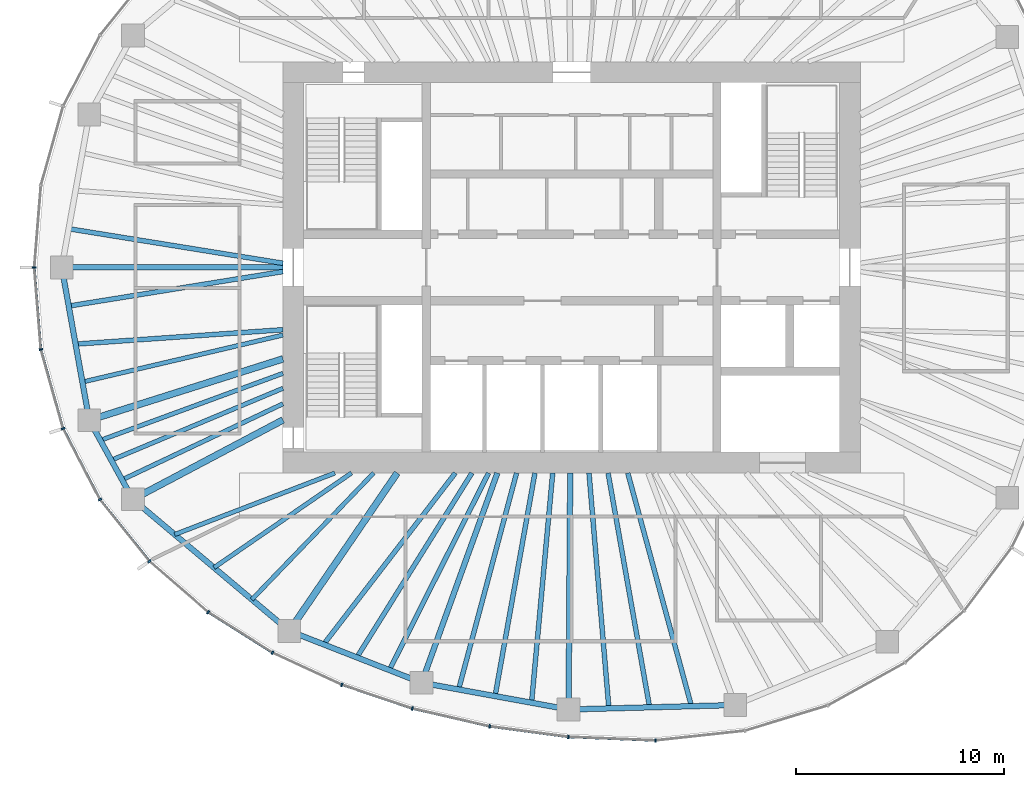
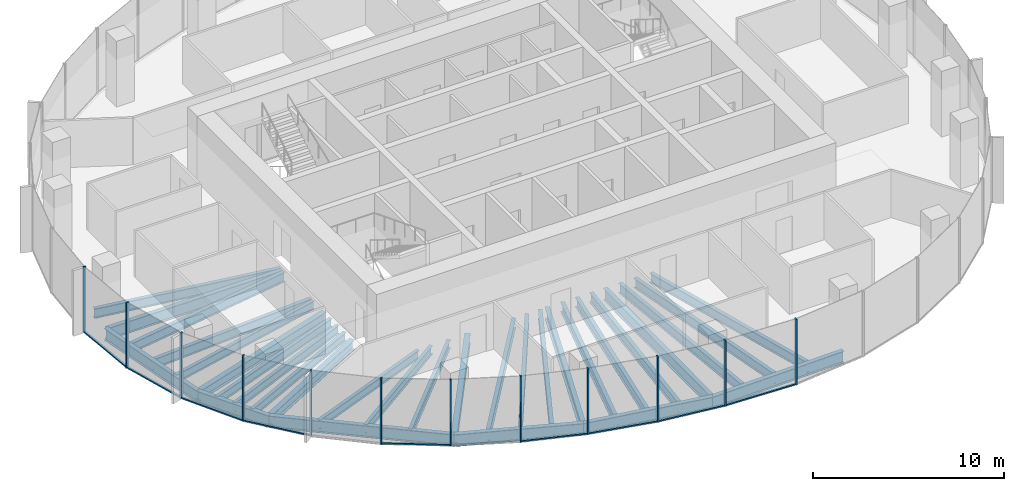
# One storey, part 2 of 11: 31 beams, 21 members, 6 elements without a shape of their own.
"""IFC4 building model written with IfcOpenShell, lengths in metres."""

from ifc_helpers import new_model, si_unit, direction, frame, origin, origin_2d, place, context, subcontext, project, spatial, rectangle, i_section, extrude, material, material_profile, profile_set, type_object, element, aggregate, save


model = new_model("IFC4")

# Units and contexts
model_context = context("Model", 3, precision=1e-05, world=origin(), true_north=direction((0.0, 1.0)))
body_context = subcontext(model_context, "Body", "Model", "MODEL_VIEW")
ifc_project = project(units=[si_unit("LENGTHUNIT", "METRE"), si_unit("AREAUNIT", "SQUARE_METRE"), si_unit("VOLUMEUNIT", "CUBIC_METRE"), si_unit("PLANEANGLEUNIT", "RADIAN"), si_unit("MASSUNIT", "GRAM", prefix="KILO")], contexts=[model_context])

# Site, building, storey
site_placement = place(None, origin())
site = spatial("IfcSite", under=ifc_project, at=site_placement, CompositionType="ELEMENT")
building_placement = place(site_placement, origin())
building = spatial("IfcBuilding", under=site, at=building_placement, Name="Ghaith Harvest Tower", CompositionType="ELEMENT")
storey_placement = place(building_placement, frame((0.0, 0.0, 283.800048828125)))
storey = spatial("IfcBuildingStorey", under=building, at=storey_placement, Name="L63", CompositionType="ELEMENT", Elevation=283.800048828125)

# Curtain wall, members
ifc_material_1 = material(Name="Black anodised aluminium and fritted glass", Category="aluminium")
curtain_wall_type = type_object("IfcCurtainWallType", Name="CW-T CURTAIN WALL", PredefinedType="NOTDEFINED", material=ifc_material_1)
curtain_wall_1_placement = place(storey_placement, origin())
curtain_wall_1 = element("IfcCurtainWall", 1, at=curtain_wall_1_placement, inside=storey, type_object=curtain_wall_type, Name="Curtain wall CW-T bay 11 L63", PredefinedType="NOTDEFINED")
ifc_material_2 = material(Name="Aluminium, black anodised", Category="aluminium")
ifc_material_profile_1 = material_profile(ifc_material_2, rectangle(XDim=0.080078125, YDim=0.179931640625, at=origin_2d()), Name="CW-T MULLION 80x180")
ifc_profile_set_1 = profile_set([ifc_material_profile_1], Name="Aluminium, black anodised")
member_type_1 = type_object("IfcMemberType", Name="CW-T MULLION 80x180", PredefinedType="MULLION", material=ifc_profile_set_1)
member_1_placement = place(storey_placement, frame((-25.8701171875, 0.0, 0.0), z_axis=(0.0, 0.0, 1.0), x_axis=(-1.05e-10, -1.0, 0.0)))
member_1 = element("IfcMember", 2, at=member_1_placement, type_object=member_type_1, Name="CW-T mullion 1 bay 11 L63", PredefinedType="MULLION", context=body_context, shape_type="SweptSolid", body=[
    extrude(rectangle(XDim=0.080078125, YDim=0.179931640625, at=origin_2d()), origin(), (0.0, 0.0, 1.0), 4.199951171875),
])
member_2_placement = place(storey_placement, frame((-25.5517578125, -3.9521484375, 0.0), z_axis=(0.0, 0.0, 1.0), x_axis=(0.176001391003, -0.98438991785, 0.0)))
member_2 = element("IfcMember", 3, at=member_2_placement, type_object=member_type_1, Name="CW-T mullion 2 bay 11 L63", PredefinedType="MULLION", context=body_context, shape_type="SweptSolid", body=[
    extrude(rectangle(XDim=0.080078125, YDim=0.179931640625, at=origin_2d()), origin(), (0.0, 0.0, 1.0), 4.199951171875),
])

curtain_wall_2_placement = place(storey_placement, origin())
curtain_wall_2 = element("IfcCurtainWall", 4, at=curtain_wall_2_placement, inside=storey, type_object=curtain_wall_type, Name="Curtain wall CW-T bay 12 L63", PredefinedType="NOTDEFINED")
member_3_placement = place(storey_placement, frame((-24.482666015625, -7.759033203125, 0.0), z_axis=(0.0, 0.0, 1.0), x_axis=(0.366473104734, -0.930428645038, 0.0)))
member_3 = element("IfcMember", 5, at=member_3_placement, type_object=member_type_1, Name="CW-T mullion 1 bay 12 L63", PredefinedType="MULLION", context=body_context, shape_type="SweptSolid", body=[
    extrude(rectangle(XDim=0.080078125, YDim=0.179931640625, at=origin_2d()), origin(), (0.0, 0.0, 1.0), 4.199951171875),
])
member_4_placement = place(storey_placement, frame((-22.706298828125, -11.176513671875, 0.0), z_axis=(0.0, 0.0, 1.0), x_axis=(0.545865412431, -0.837872873121, 0.0)))
member_4 = element("IfcMember", 6, at=member_4_placement, type_object=member_type_1, Name="CW-T mullion 2 bay 12 L63", PredefinedType="MULLION", context=body_context, shape_type="SweptSolid", body=[
    extrude(rectangle(XDim=0.080078125, YDim=0.179931640625, at=origin_2d()), origin(), (0.0, 0.0, 1.0), 4.199951171875),
])

curtain_wall_3_placement = place(storey_placement, origin())
curtain_wall_3 = element("IfcCurtainWall", 7, at=curtain_wall_3_placement, inside=storey, type_object=curtain_wall_type, Name="Curtain wall CW-T bay 13 L63", PredefinedType="NOTDEFINED")
member_5_placement = place(storey_placement, frame((-20.324462890625, -14.141845703125, 0.0), z_axis=(0.0, 0.0, 1.0), x_axis=(0.692826491831, -0.721104328248, 0.0)))
member_5 = element("IfcMember", 8, at=member_5_placement, type_object=member_type_1, Name="CW-T mullion 1 bay 13 L63", PredefinedType="MULLION", context=body_context, shape_type="SweptSolid", body=[
    extrude(rectangle(XDim=0.080078125, YDim=0.179931640625, at=origin_2d()), origin(), (0.0, 0.0, 1.0), 4.199951171875),
])
member_6_placement = place(storey_placement, frame((-17.49462890625, -16.600830078125, 0.0), z_axis=(0.0, 0.0, 1.0), x_axis=(0.802189888845, -0.59706899286, 0.0)))
member_6 = element("IfcMember", 9, at=member_6_placement, type_object=member_type_1, Name="CW-T mullion 2 bay 13 L63", PredefinedType="MULLION", context=body_context, shape_type="SweptSolid", body=[
    extrude(rectangle(XDim=0.080078125, YDim=0.179931640625, at=origin_2d()), origin(), (0.0, 0.0, 1.0), 4.199951171875),
])

curtain_wall_4_placement = place(storey_placement, origin())
curtain_wall_4 = element("IfcCurtainWall", 10, at=curtain_wall_4_placement, inside=storey, type_object=curtain_wall_type, Name="Curtain wall CW-T bay 14 L63", PredefinedType="NOTDEFINED")
member_7_placement = place(storey_placement, frame((-14.40478515625, -18.5478515625, 0.0), z_axis=(0.0, 0.0, 1.0), x_axis=(0.878671732732, -0.477426419564, 0.0)))
member_7 = element("IfcMember", 11, at=member_7_placement, type_object=member_type_1, Name="CW-T mullion 1 bay 14 L63", PredefinedType="MULLION", context=body_context, shape_type="SweptSolid", body=[
    extrude(rectangle(XDim=0.080078125, YDim=0.179931640625, at=origin_2d()), origin(), (0.0, 0.0, 1.0), 4.199951171875),
])
member_8_placement = place(storey_placement, frame((-11.0673828125, -20.093017578125, 0.0), z_axis=(0.0, 0.0, 1.0), x_axis=(0.92862442092, -0.371021138038, 0.0)))
member_8 = element("IfcMember", 12, at=member_8_placement, type_object=member_type_1, Name="CW-T mullion 2 bay 14 L63", PredefinedType="MULLION", context=body_context, shape_type="SweptSolid", body=[
    extrude(rectangle(XDim=0.080078125, YDim=0.179931640625, at=origin_2d()), origin(), (0.0, 0.0, 1.0), 4.199951171875),
])

curtain_wall_5_placement = place(storey_placement, origin())
curtain_wall_5 = element("IfcCurtainWall", 13, at=curtain_wall_5_placement, inside=storey, type_object=curtain_wall_type, Name="Curtain wall CW-T bay 15 L63", PredefinedType="NOTDEFINED")
member_9_placement = place(storey_placement, frame((-7.6708984375, -21.23828125, 0.0), z_axis=(0.0, 0.0, 1.0), x_axis=(0.962552491659, -0.271095372151, 0.0)))
member_9 = element("IfcMember", 14, at=member_9_placement, type_object=member_type_1, Name="CW-T mullion 1 bay 15 L63", PredefinedType="MULLION", context=body_context, shape_type="SweptSolid", body=[
    extrude(rectangle(XDim=0.080078125, YDim=0.179931640625, at=origin_2d()), origin(), (0.0, 0.0, 1.0), 4.199951171875),
])
member_10_placement = place(storey_placement, frame((-3.946533203125, -22.0986328125, 0.0), z_axis=(0.0, 0.0, 1.0), x_axis=(0.983843447712, -0.179030920217, 0.0)))
member_10 = element("IfcMember", 15, at=member_10_placement, type_object=member_type_1, Name="CW-T mullion 2 bay 15 L63", PredefinedType="MULLION", context=body_context, shape_type="SweptSolid", body=[
    extrude(rectangle(XDim=0.080078125, YDim=0.179931640625, at=origin_2d()), origin(), (0.0, 0.0, 1.0), 4.199951171875),
])

curtain_wall_6_placement = place(storey_placement, origin())
curtain_wall_6 = element("IfcCurtainWall", 16, at=curtain_wall_6_placement, inside=storey, type_object=curtain_wall_type, Name="Curtain wall CW-T bay 16 L63", PredefinedType="NOTDEFINED")
member_11_placement = place(storey_placement, frame((-0.15478515625, -22.60595703125, 0.0), z_axis=(0.0, 0.0, 1.0), x_axis=(0.996414855524, -0.084601629366, 0.0)))
member_11 = element("IfcMember", 17, at=member_11_placement, type_object=member_type_1, Name="CW-T mullion 1 bay 16 L63", PredefinedType="MULLION", context=body_context, shape_type="SweptSolid", body=[
    extrude(rectangle(XDim=0.080078125, YDim=0.179931640625, at=origin_2d()), origin(), (0.0, 0.0, 1.0), 4.199951171875),
])
member_12_placement = place(storey_placement, frame((4.037841796875, -22.776611328125, 0.0), z_axis=(0.0, 0.0, 1.0), x_axis=(0.999388631241, 0.034962318939, 0.0)))
member_12 = element("IfcMember", 18, at=member_12_placement, type_object=member_type_1, Name="CW-T mullion 2 bay 16 L63", PredefinedType="MULLION", context=body_context, shape_type="SweptSolid", body=[
    extrude(rectangle(XDim=0.080078125, YDim=0.179931640625, at=origin_2d()), origin(), (0.0, 0.0, 1.0), 4.199951171875),
])

# Member
ifc_material_3 = material(Name="Aluminium, black anodised", Category="aluminium")
ifc_material_profile_2 = material_profile(ifc_material_3, rectangle(XDim=0.1201171875, YDim=0.080078125, at=origin_2d()), Name="CW-T TRANSOM 120x80")
ifc_profile_set_2 = profile_set([ifc_material_profile_2], Name="Aluminium, black anodised")
member_type_2 = type_object("IfcMemberType", Name="CW-T TRANSOM 120x80", PredefinedType="USERDEFINED", material=ifc_profile_set_2)
member_13_placement = place(storey_placement, frame((-25.86669921875, -0.039794921875, 0.0400390625), z_axis=(0.08025226314, -0.996774585481, 0.0), x_axis=(0.996774585481, 0.08025226314, 0.0)))
member_13 = element("IfcMember", 19, at=member_13_placement, type_object=member_type_2, Name="CW-T transom 1 bay 11 L63", ObjectType="TRANSOM", PredefinedType="USERDEFINED", context=body_context, shape_type="SweptSolid", body=[
    extrude(rectangle(XDim=0.1201171875, YDim=0.080078125, at=origin_2d()), origin(), (0.0, 0.0, 1.0), 3.884765625),
])

member_14_placement = place(storey_placement, frame((-25.541015625, -3.990478515625, 0.0400390625), z_axis=(0.270340422972, -0.962764797709, 0.0), x_axis=(0.962764797709, 0.270340422972, 0.0)))
member_14 = element("IfcMember", 20, at=member_14_placement, type_object=member_type_2, Name="CW-T transom 2 bay 11 L63", ObjectType="TRANSOM", PredefinedType="USERDEFINED", context=body_context, shape_type="SweptSolid", body=[
    extrude(rectangle(XDim=0.1201171875, YDim=0.080078125, at=origin_2d()), origin(), (0.0, 0.0, 1.0), 3.874267578125),
])

aggregate(curtain_wall_1, [member_1, member_13, member_2, member_14])

member_15_placement = place(storey_placement, frame((-24.46435546875, -7.79443359375, 0.0400390625), z_axis=(0.461242681347, -0.887274021317, 0.0), x_axis=(0.887274021317, 0.461242681347, 0.0)))
member_15 = element("IfcMember", 21, at=member_15_placement, type_object=member_type_2, Name="CW-T transom 1 bay 12 L63", ObjectType="TRANSOM", PredefinedType="USERDEFINED", context=body_context, shape_type="SweptSolid", body=[
    extrude(rectangle(XDim=0.1201171875, YDim=0.080078125, at=origin_2d()), origin(), (0.0, 0.0, 1.0), 3.77197265625),
])

member_16_placement = place(storey_placement, frame((-22.68115234375, -11.207763671875, 0.0400390625), z_axis=(0.626253073761, -0.779619835307, 0.0), x_axis=(0.779619835307, 0.626253073761, 0.0)))
member_16 = element("IfcMember", 22, at=member_16_placement, type_object=member_type_2, Name="CW-T transom 2 bay 12 L63", ObjectType="TRANSOM", PredefinedType="USERDEFINED", context=body_context, shape_type="SweptSolid", body=[
    extrude(rectangle(XDim=0.1201171875, YDim=0.080078125, at=origin_2d()), origin(), (0.0, 0.0, 1.0), 3.723388671875),
])

aggregate(curtain_wall_2, [member_3, member_15, member_4, member_16])

member_17_placement = place(storey_placement, frame((-17.4609375, -16.6220703125, 0.0400390625), z_axis=(0.846053602505, -0.533097835006, 0.0), x_axis=(0.533097835006, 0.846053602505, 0.0)))
member_17 = element("IfcMember", 23, at=member_17_placement, type_object=member_type_2, Name="CW-T transom 2 bay 13 L63", ObjectType="TRANSOM", PredefinedType="USERDEFINED", context=body_context, shape_type="SweptSolid", body=[
    extrude(rectangle(XDim=0.1201171875, YDim=0.080078125, at=origin_2d()), origin(), (0.0, 0.0, 1.0), 3.572021484375),
])

aggregate(curtain_wall_3, [member_5, member_6, member_17])

member_18_placement = place(storey_placement, frame((-11.029541015625, -20.105712890625, 0.0400390625), z_axis=(0.9475698206, -0.319548799228, 0.0), x_axis=(0.319548799228, 0.9475698206, 0.0)))
member_18 = element("IfcMember", 24, at=member_18_placement, type_object=member_type_2, Name="CW-T transom 2 bay 14 L63", ObjectType="TRANSOM", PredefinedType="USERDEFINED", context=body_context, shape_type="SweptSolid", body=[
    extrude(rectangle(XDim=0.1201171875, YDim=0.080078125, at=origin_2d()), origin(), (0.0, 0.0, 1.0), 3.504638671875),
])

aggregate(curtain_wall_4, [member_7, member_8, member_18])

member_19_placement = place(storey_placement, frame((-7.6318359375, -21.247314453125, 0.0400390625), z_axis=(0.974344997799, -0.225059603803, 0.0), x_axis=(0.225059603803, 0.974344997799, 0.0)))
member_19 = element("IfcMember", 25, at=member_19_placement, type_object=member_type_2, Name="CW-T transom 1 bay 15 L63", ObjectType="TRANSOM", PredefinedType="USERDEFINED", context=body_context, shape_type="SweptSolid", body=[
    extrude(rectangle(XDim=0.1201171875, YDim=0.080078125, at=origin_2d()), origin(), (0.0, 0.0, 1.0), 3.742431640625),
])

member_20_placement = place(storey_placement, frame((-3.90673828125, -22.10400390625, 0.0400390625), z_axis=(0.99117202259, -0.132582131655, 0.0), x_axis=(0.132582131655, 0.99117202259, 0.0)))
member_20 = element("IfcMember", 26, at=member_20_placement, type_object=member_type_2, Name="CW-T transom 2 bay 15 L63", ObjectType="TRANSOM", PredefinedType="USERDEFINED", context=body_context, shape_type="SweptSolid", body=[
    extrude(rectangle(XDim=0.1201171875, YDim=0.080078125, at=origin_2d()), origin(), (0.0, 0.0, 1.0), 3.745361328125),
])

aggregate(curtain_wall_5, [member_9, member_19, member_10, member_20])

member_21_placement = place(storey_placement, frame((-0.11474609375, -22.607666015625, 0.0400390625), z_axis=(0.999174207562, -0.040631304968, 0.0), x_axis=(0.040631304968, 0.999174207562, 0.0)))
member_21 = element("IfcMember", 27, at=member_21_placement, type_object=member_type_2, Name="CW-T transom 1 bay 16 L63", ObjectType="TRANSOM", PredefinedType="USERDEFINED", context=body_context, shape_type="SweptSolid", body=[
    extrude(rectangle(XDim=0.1201171875, YDim=0.080078125, at=origin_2d()), origin(), (0.0, 0.0, 1.0), 4.115966796875),
])

aggregate(curtain_wall_6, [member_11, member_21, member_12])

# Beams
ifc_material_4 = material(Name="Steel ASTM A992 Grade 50", Category="steel")
ifc_material_profile_3 = material_profile(ifc_material_4, i_section(OverallWidth=0.26611328125, OverallDepth=0.758056640625, WebThickness=0.013916015625, FlangeThickness=0.019287109375, at=origin_2d()), Name="W760X161")
ifc_profile_set_3 = profile_set([ifc_material_profile_3], Name="Steel ASTM A992 Grade 50")
beam_type_1 = type_object("IfcBeamType", Name="E760-161 W760X161", PredefinedType="SPANDREL", material=ifc_profile_set_3)
beam_1_placement = place(storey_placement, frame((-24.550048828125, 0.0, -0.549072265625), z_axis=(0.177296554745, -0.984157473007, 0.0), x_axis=(0.984157473007, 0.177296554745, 0.0)))
element("IfcBeam", 28, at=beam_1_placement, inside=storey, type_object=beam_type_1, Name="Edge beam E11 L63", PredefinedType="SPANDREL", context=body_context, shape_type="SweptSolid", body=[
    extrude(i_section(OverallWidth=0.26611328125, OverallDepth=0.758056640625, WebThickness=0.013916015625, FlangeThickness=0.019287109375, at=origin_2d()), origin(), (0.0, 0.0, 1.0), 7.478515625),
])
beam_2_placement = place(storey_placement, frame((-23.22412109375, -7.360107421875, -0.549072265625), z_axis=(0.482955575345, -0.875644855089, 0.0), x_axis=(0.875644855089, 0.482955575345, 0.0)))
element("IfcBeam", 29, at=beam_2_placement, inside=storey, type_object=beam_type_1, Name="Edge beam E12 L63", PredefinedType="SPANDREL", context=body_context, shape_type="SweptSolid", body=[
    extrude(i_section(OverallWidth=0.26611328125, OverallDepth=0.758056640625, WebThickness=0.013916015625, FlangeThickness=0.019287109375, at=origin_2d()), origin(), (0.0, 0.0, 1.0), 4.346435546875),
])
beam_3_placement = place(storey_placement, frame((-21.125, -11.166015625, -0.549072265625), z_axis=(0.765021818761, -0.64400436087, 0.0), x_axis=(0.64400436087, 0.765021818761, 0.0)))
element("IfcBeam", 30, at=beam_3_placement, inside=storey, type_object=beam_type_1, Name="Edge beam E13 L63", PredefinedType="SPANDREL", context=body_context, shape_type="SweptSolid", body=[
    extrude(i_section(OverallWidth=0.26611328125, OverallDepth=0.758056640625, WebThickness=0.013916015625, FlangeThickness=0.019287109375, at=origin_2d()), origin(), (0.0, 0.0, 1.0), 9.8427734375),
])
beam_4_placement = place(storey_placement, frame((-13.594970703125, -17.5048828125, -0.549072265625), z_axis=(0.931322768207, -0.364194867371, 0.0), x_axis=(0.364194867371, 0.931322768207, 0.0)))
element("IfcBeam", 31, at=beam_4_placement, inside=storey, type_object=beam_type_1, Name="Edge beam E14 L63", PredefinedType="SPANDREL", context=body_context, shape_type="SweptSolid", body=[
    extrude(i_section(OverallWidth=0.26611328125, OverallDepth=0.758056640625, WebThickness=0.013916015625, FlangeThickness=0.019287109375, at=origin_2d()), origin(), (0.0, 0.0, 1.0), 6.843017578125),
])
beam_5_placement = place(storey_placement, frame((-7.221923828125, -19.9970703125, -0.549072265625), z_axis=(0.983813921429, -0.179193102551, 0.0), x_axis=(0.179193102551, 0.983813921429, 0.0)))
element("IfcBeam", 32, at=beam_5_placement, inside=storey, type_object=beam_type_1, Name="Edge beam E15 L63", PredefinedType="SPANDREL", context=body_context, shape_type="SweptSolid", body=[
    extrude(i_section(OverallWidth=0.26611328125, OverallDepth=0.758056640625, WebThickness=0.013916015625, FlangeThickness=0.019287109375, at=origin_2d()), origin(), (0.0, 0.0, 1.0), 7.1923828125),
])
beam_6_placement = place(storey_placement, frame((-0.14599609375, -21.285888671875, -0.549072265625), z_axis=(0.999644979696, 0.02664422206, 0.0), x_axis=(-0.02664422206, 0.999644979696, 0.0)))
element("IfcBeam", 33, at=beam_6_placement, inside=storey, type_object=beam_type_1, Name="Edge beam E16 L63", PredefinedType="SPANDREL", context=body_context, shape_type="SweptSolid", body=[
    extrude(i_section(OverallWidth=0.26611328125, OverallDepth=0.758056640625, WebThickness=0.013916015625, FlangeThickness=0.019287109375, at=origin_2d()), origin(), (0.0, 0.0, 1.0), 8.02685546875),
])
ifc_material_5 = material(Name="Steel ASTM A992 Grade 50", Category="steel")
ifc_material_profile_4 = material_profile(ifc_material_5, i_section(OverallWidth=0.323974609375, OverallDepth=0.611083984375, WebThickness=0.0126953125, FlangeThickness=0.01904296875, at=origin_2d()), Name="W610X155")
ifc_profile_set_4 = profile_set([ifc_material_profile_4], Name="Steel ASTM A992 Grade 50")
beam_type_2 = type_object("IfcBeamType", Name="G610-155 W610X155", PredefinedType="BEAM", material=ifc_profile_set_4)
beam_7_placement = place(storey_placement, frame((-13.89990234375, -4.4052734375, -0.4755859375), z_axis=(-0.953278508772, -0.302092841215, 0.0), x_axis=(0.302092841215, -0.953278508772, 0.0)))
element("IfcBeam", 34, at=beam_7_placement, inside=storey, type_object=beam_type_2, Name="Radial girder G12 L63", PredefinedType="BEAM", context=body_context, shape_type="SweptSolid", body=[
    extrude(i_section(OverallWidth=0.323974609375, OverallDepth=0.611083984375, WebThickness=0.0126953125, FlangeThickness=0.01904296875, at=origin_2d()), origin(), (0.0, 0.0, 1.0), 9.78125),
])
beam_8_placement = place(storey_placement, frame((-13.89990234375, -7.34716796875, -0.4755859375), z_axis=(-0.88410164037, -0.467294649546, 0.0), x_axis=(0.467294649546, -0.88410164037, 0.0)))
element("IfcBeam", 35, at=beam_8_placement, inside=storey, type_object=beam_type_2, Name="Radial girder G13 L63", PredefinedType="BEAM", context=body_context, shape_type="SweptSolid", body=[
    extrude(i_section(OverallWidth=0.323974609375, OverallDepth=0.611083984375, WebThickness=0.0126953125, FlangeThickness=0.01904296875, at=origin_2d()), origin(), (0.0, 0.0, 1.0), 8.17236328125),
])
beam_9_placement = place(storey_placement, frame((-8.39990234375, -9.89990234375, -0.4755859375), z_axis=(-0.564067018201, -0.825729010619, 0.0), x_axis=(0.825729010619, -0.564067018201, 0.0)))
element("IfcBeam", 36, at=beam_9_placement, inside=storey, type_object=beam_type_2, Name="Radial girder G14 L63", PredefinedType="BEAM", context=body_context, shape_type="SweptSolid", body=[
    extrude(i_section(OverallWidth=0.323974609375, OverallDepth=0.611083984375, WebThickness=0.0126953125, FlangeThickness=0.01904296875, at=origin_2d()), origin(), (0.0, 0.0, 1.0), 9.2099609375),
])
ifc_material_6 = material(Name="Steel ASTM A992 Grade 50", Category="steel")
ifc_material_profile_5 = material_profile(ifc_material_6, i_section(OverallWidth=0.26611328125, OverallDepth=0.758056640625, WebThickness=0.013916015625, FlangeThickness=0.019287109375, at=origin_2d()), Name="W760X161")
ifc_profile_set_5 = profile_set([ifc_material_profile_5], Name="Steel ASTM A992 Grade 50")
beam_type_3 = type_object("IfcBeamType", Name="G760-161 W760X161", PredefinedType="BEAM", material=ifc_profile_set_5)
beam_10_placement = place(storey_placement, frame((-13.89990234375, 0.0, -0.549072265625), z_axis=(-1.0, 0.0, 0.0), x_axis=(0.0, -1.0, 0.0)))
element("IfcBeam", 37, at=beam_10_placement, inside=storey, type_object=beam_type_3, Name="Radial girder G11 L63", PredefinedType="BEAM", context=body_context, shape_type="SweptSolid", body=[
    extrude(i_section(OverallWidth=0.26611328125, OverallDepth=0.758056640625, WebThickness=0.013916015625, FlangeThickness=0.019287109375, at=origin_2d()), origin(), (0.0, 0.0, 1.0), 10.650146484375),
])
beam_11_placement = place(storey_placement, frame((-3.57568359375, -9.89990234375, -0.549072265625), z_axis=(-0.339647816823, -0.940552688863, 0.0), x_axis=(0.940552688863, -0.339647816823, 0.0)))
element("IfcBeam", 38, at=beam_11_placement, inside=storey, type_object=beam_type_3, Name="Radial girder G15 L63", PredefinedType="BEAM", context=body_context, shape_type="SweptSolid", body=[
    extrude(i_section(OverallWidth=0.26611328125, OverallDepth=0.758056640625, WebThickness=0.013916015625, FlangeThickness=0.019287109375, at=origin_2d()), origin(), (0.0, 0.0, 1.0), 10.7353515625),
])
beam_12_placement = place(storey_placement, frame((-0.06787109375, -9.89990234375, -0.549072265625), z_axis=(-0.006861343299, -0.999976460707, 0.0), x_axis=(0.999976460707, -0.006861343299, 0.0)))
element("IfcBeam", 39, at=beam_12_placement, inside=storey, type_object=beam_type_3, Name="Radial girder G16 L63", PredefinedType="BEAM", context=body_context, shape_type="SweptSolid", body=[
    extrude(i_section(OverallWidth=0.26611328125, OverallDepth=0.758056640625, WebThickness=0.013916015625, FlangeThickness=0.019287109375, at=origin_2d()), origin(), (0.0, 0.0, 1.0), 11.38623046875),
])
ifc_material_7 = material(Name="Steel ASTM A992 Grade 50", Category="steel")
ifc_material_profile_6 = material_profile(ifc_material_7, i_section(OverallWidth=0.2109375, OverallDepth=0.5390625, WebThickness=0.01171875, FlangeThickness=0.018798828125, at=origin_2d()), Name="W530X109")
ifc_profile_set_6 = profile_set([ifc_material_profile_6], Name="Steel ASTM A992 Grade 50")
beam_type_4 = type_object("IfcBeamType", Name="J530-109 W530X109", PredefinedType="JOIST", material=ifc_profile_set_6)
beam_13_placement = place(storey_placement, frame((-13.89990234375, -3.257080078125, -0.439453125), z_axis=(-0.973623403271, -0.228161058472, 0.0), x_axis=(0.228161058472, -0.973623403271, 0.0)))
element("IfcBeam", 40, at=beam_13_placement, inside=storey, type_object=beam_type_4, Name="Joist J11.3 L63", PredefinedType="JOIST", context=body_context, shape_type="SweptSolid", body=[
    extrude(i_section(OverallWidth=0.2109375, OverallDepth=0.5390625, WebThickness=0.01171875, FlangeThickness=0.018798828125, at=origin_2d()), origin(), (0.0, 0.0, 1.0), 9.9169921875),
])
beam_14_placement = place(storey_placement, frame((-13.89990234375, -5.101318359375, -0.439453125), z_axis=(-0.938776837502, -0.34452583266, 0.0), x_axis=(0.34452583266, -0.938776837502, 0.0)))
element("IfcBeam", 41, at=beam_14_placement, inside=storey, type_object=beam_type_4, Name="Joist J12.1 L63", PredefinedType="JOIST", context=body_context, shape_type="SweptSolid", body=[
    extrude(i_section(OverallWidth=0.2109375, OverallDepth=0.5390625, WebThickness=0.01171875, FlangeThickness=0.018798828125, at=origin_2d()), origin(), (0.0, 0.0, 1.0), 9.36376953125),
])
beam_15_placement = place(storey_placement, frame((-13.89990234375, -5.82080078125, -0.439453125), z_axis=(-0.922394258818, -0.38624970071, 0.0), x_axis=(0.38624970071, -0.922394258818, 0.0)))
element("IfcBeam", 42, at=beam_15_placement, inside=storey, type_object=beam_type_4, Name="Joist J12.2 L63", PredefinedType="JOIST", context=body_context, shape_type="SweptSolid", body=[
    extrude(i_section(OverallWidth=0.2109375, OverallDepth=0.5390625, WebThickness=0.01171875, FlangeThickness=0.018798828125, at=origin_2d()), origin(), (0.0, 0.0, 1.0), 8.959716796875),
])
beam_16_placement = place(storey_placement, frame((-13.89990234375, -6.56787109375, -0.439453125), z_axis=(-0.904165769726, -0.427181765594, 0.0), x_axis=(0.427181765594, -0.904165769726, 0.0)))
element("IfcBeam", 43, at=beam_16_placement, inside=storey, type_object=beam_type_4, Name="Joist J12.3 L63", PredefinedType="JOIST", context=body_context, shape_type="SweptSolid", body=[
    extrude(i_section(OverallWidth=0.2109375, OverallDepth=0.5390625, WebThickness=0.01171875, FlangeThickness=0.018798828125, at=origin_2d()), origin(), (0.0, 0.0, 1.0), 8.564208984375),
])
beam_17_placement = place(storey_placement, frame((-11.39990234375, -9.89990234375, -0.439453125), z_axis=(-0.933583045329, -0.358361127181, 0.0), x_axis=(0.358361127181, -0.933583045329, 0.0)))
element("IfcBeam", 44, at=beam_17_placement, inside=storey, type_object=beam_type_4, Name="Joist J13.1 L63", PredefinedType="JOIST", context=body_context, shape_type="SweptSolid", body=[
    extrude(i_section(OverallWidth=0.2109375, OverallDepth=0.5390625, WebThickness=0.01171875, FlangeThickness=0.018798828125, at=origin_2d()), origin(), (0.0, 0.0, 1.0), 8.260986328125),
])
beam_18_placement = place(storey_placement, frame((-10.60009765625, -9.89990234375, -0.439453125), z_axis=(-0.823778502511, -0.566911791023, 0.0), x_axis=(0.566911791023, -0.823778502511, 0.0)))
element("IfcBeam", 45, at=beam_18_placement, inside=storey, type_object=beam_type_4, Name="Joist J13.2 L63", PredefinedType="JOIST", context=body_context, shape_type="SweptSolid", body=[
    extrude(i_section(OverallWidth=0.2109375, OverallDepth=0.5390625, WebThickness=0.01171875, FlangeThickness=0.018798828125, at=origin_2d()), origin(), (0.0, 0.0, 1.0), 8.0341796875),
])
beam_19_placement = place(storey_placement, frame((-9.530517578125, -9.89990234375, -0.439453125), z_axis=(-0.693536238632, -0.720421741554, 0.0), x_axis=(0.720421741554, -0.693536238632, 0.0)))
element("IfcBeam", 46, at=beam_19_placement, inside=storey, type_object=beam_type_4, Name="Joist J13.3 L63", PredefinedType="JOIST", context=body_context, shape_type="SweptSolid", body=[
    extrude(i_section(OverallWidth=0.2109375, OverallDepth=0.5390625, WebThickness=0.01171875, FlangeThickness=0.018798828125, at=origin_2d()), origin(), (0.0, 0.0, 1.0), 8.4541015625),
])
ifc_material_8 = material(Name="Steel ASTM A992 Grade 50", Category="steel")
ifc_material_profile_7 = material_profile(ifc_material_8, i_section(OverallWidth=0.22998046875, OverallDepth=0.616943359375, WebThickness=0.01318359375, FlangeThickness=0.022216796875, at=origin_2d()), Name="W610X140")
ifc_profile_set_7 = profile_set([ifc_material_profile_7], Name="Steel ASTM A992 Grade 50")
beam_type_5 = type_object("IfcBeamType", Name="J610-140 W610X140", PredefinedType="JOIST", material=ifc_profile_set_7)
for number, where, z_axis, x_axis, name in (
    (47, (-13.89990234375, 0.199951171875, -0.478515625), (-0.987271793524, 0.159042150743, 0.0), (-0.159042150743, -0.987271793524, 0.0), "Joist J10.3 L63"),
    (48, (-13.89990234375, -0.199951171875, -0.478515625), (-0.987271793524, -0.159042150743, 0.0), (0.159042150743, -0.987271793524, 0.0), "Joist J11.1 L63"),
):
    element("IfcBeam", number, at=place(storey_placement, frame(where, z_axis=z_axis, x_axis=x_axis)), inside=storey, type_object=beam_type_5, Name=name, PredefinedType="JOIST", context=body_context, shape_type="SweptSolid", body=[
        extrude(i_section(OverallWidth=0.22998046875, OverallDepth=0.616943359375, WebThickness=0.01318359375, FlangeThickness=0.022216796875, at=origin_2d()), origin(), (0.0, 0.0, 1.0), 10.44775390625),
    ])
beam_20_placement = place(storey_placement, frame((-13.89990234375, -3.0, -0.478515625), z_axis=(-0.997592478057, -0.069348739886, 0.0), x_axis=(0.069348739886, -0.997592478057, 0.0)))
element("IfcBeam", 49, at=beam_20_placement, inside=storey, type_object=beam_type_5, Name="Joist J11.2 L63", PredefinedType="JOIST", context=body_context, shape_type="SweptSolid", body=[
    extrude(i_section(OverallWidth=0.22998046875, OverallDepth=0.616943359375, WebThickness=0.01318359375, FlangeThickness=0.022216796875, at=origin_2d()), origin(), (0.0, 0.0, 1.0), 10.0087890625),
])
beam_21_placement = place(storey_placement, frame((-5.60009765625, -9.89990234375, -0.478515625), z_axis=(-0.609353577926, -0.792898617144, 0.0), x_axis=(0.792898617144, -0.609353577926, 0.0)))
element("IfcBeam", 50, at=beam_21_placement, inside=storey, type_object=beam_type_5, Name="Joist J14.1 L63", PredefinedType="JOIST", context=body_context, shape_type="SweptSolid", body=[
    extrude(i_section(OverallWidth=0.22998046875, OverallDepth=0.616943359375, WebThickness=0.01318359375, FlangeThickness=0.022216796875, at=origin_2d()), origin(), (0.0, 0.0, 1.0), 10.406982421875),
])
beam_22_placement = place(storey_placement, frame((-4.800048828125, -9.89990234375, -0.478515625), z_axis=(-0.529596254905, -0.848249849273, 0.0), x_axis=(0.848249849273, -0.529596254905, 0.0)))
element("IfcBeam", 51, at=beam_22_placement, inside=storey, type_object=beam_type_5, Name="Joist J14.2 L63", PredefinedType="JOIST", context=body_context, shape_type="SweptSolid", body=[
    extrude(i_section(OverallWidth=0.22998046875, OverallDepth=0.616943359375, WebThickness=0.01318359375, FlangeThickness=0.022216796875, at=origin_2d()), origin(), (0.0, 0.0, 1.0), 10.465087890625),
])
beam_23_placement = place(storey_placement, frame((-4.0, -9.89990234375, -0.478515625), z_axis=(-0.449556131123, -0.893252083664, 0.0), x_axis=(0.893252083664, -0.449556131123, 0.0)))
element("IfcBeam", 52, at=beam_23_placement, inside=storey, type_object=beam_type_5, Name="Joist J14.3 L63", PredefinedType="JOIST", context=body_context, shape_type="SweptSolid", body=[
    extrude(i_section(OverallWidth=0.22998046875, OverallDepth=0.616943359375, WebThickness=0.01318359375, FlangeThickness=0.022216796875, at=origin_2d()), origin(), (0.0, 0.0, 1.0), 10.62353515625),
])
beam_24_placement = place(storey_placement, frame((-2.651123046875, -9.89990234375, -0.478515625), z_axis=(-0.258678019609, -0.965963602923, 0.0), x_axis=(0.965963602923, -0.258678019609, 0.0)))
element("IfcBeam", 53, at=beam_24_placement, inside=storey, type_object=beam_type_5, Name="Joist J15.1 L63", PredefinedType="JOIST", context=body_context, shape_type="SweptSolid", body=[
    extrude(i_section(OverallWidth=0.22998046875, OverallDepth=0.616943359375, WebThickness=0.01318359375, FlangeThickness=0.022216796875, at=origin_2d()), origin(), (0.0, 0.0, 1.0), 10.78857421875),
])
beam_25_placement = place(storey_placement, frame((-1.76806640625, -9.89990234375, -0.478515625), z_axis=(-0.175803029262, -0.984425362789, 0.0), x_axis=(0.984425362789, -0.175803029262, 0.0)))
element("IfcBeam", 54, at=beam_25_placement, inside=storey, type_object=beam_type_5, Name="Joist J15.2 L63", PredefinedType="JOIST", context=body_context, shape_type="SweptSolid", body=[
    extrude(i_section(OverallWidth=0.22998046875, OverallDepth=0.616943359375, WebThickness=0.01318359375, FlangeThickness=0.022216796875, at=origin_2d()), origin(), (0.0, 0.0, 1.0), 10.9111328125),
])
beam_26_placement = place(storey_placement, frame((-0.9111328125, -9.89990234375, -0.478515625), z_axis=(-0.091651380942, -0.995791154998, 0.0), x_axis=(0.995791154998, -0.091651380942, 0.0)))
element("IfcBeam", 55, at=beam_26_placement, inside=storey, type_object=beam_type_5, Name="Joist J15.3 L63", PredefinedType="JOIST", context=body_context, shape_type="SweptSolid", body=[
    extrude(i_section(OverallWidth=0.22998046875, OverallDepth=0.616943359375, WebThickness=0.01318359375, FlangeThickness=0.022216796875, at=origin_2d()), origin(), (0.0, 0.0, 1.0), 11.10791015625),
])
beam_27_placement = place(storey_placement, frame((0.836669921875, -9.89990234375, -0.478515625), z_axis=(0.084201795166, -0.996448723061, 0.0), x_axis=(0.996448723061, 0.084201795166, 0.0)))
element("IfcBeam", 56, at=beam_27_placement, inside=storey, type_object=beam_type_5, Name="Joist J16.1 L63", PredefinedType="JOIST", context=body_context, shape_type="SweptSolid", body=[
    extrude(i_section(OverallWidth=0.22998046875, OverallDepth=0.616943359375, WebThickness=0.01318359375, FlangeThickness=0.022216796875, at=origin_2d()), origin(), (0.0, 0.0, 1.0), 11.37451171875),
])
beam_28_placement = place(storey_placement, frame((1.7548828125, -9.89990234375, -0.478515625), z_axis=(0.174572943493, -0.98464424408, 0.0), x_axis=(0.98464424408, 0.174572943493, 0.0)))
element("IfcBeam", 57, at=beam_28_placement, inside=storey, type_object=beam_type_5, Name="Joist J16.2 L63", PredefinedType="JOIST", context=body_context, shape_type="SweptSolid", body=[
    extrude(i_section(OverallWidth=0.22998046875, OverallDepth=0.616943359375, WebThickness=0.01318359375, FlangeThickness=0.022216796875, at=origin_2d()), origin(), (0.0, 0.0, 1.0), 11.4580078125),
])
beam_29_placement = place(storey_placement, frame((2.70361328125, -9.89990234375, -0.478515625), z_axis=(0.263468802698, -0.964667916956, 0.0), x_axis=(0.964667916956, 0.263468802698, 0.0)))
element("IfcBeam", 58, at=beam_29_placement, inside=storey, type_object=beam_type_5, Name="Joist J16.3 L63", PredefinedType="JOIST", context=body_context, shape_type="SweptSolid", body=[
    extrude(i_section(OverallWidth=0.22998046875, OverallDepth=0.616943359375, WebThickness=0.01318359375, FlangeThickness=0.022216796875, at=origin_2d()), origin(), (0.0, 0.0, 1.0), 11.639404296875),
])

save(model, "model.ifc")
